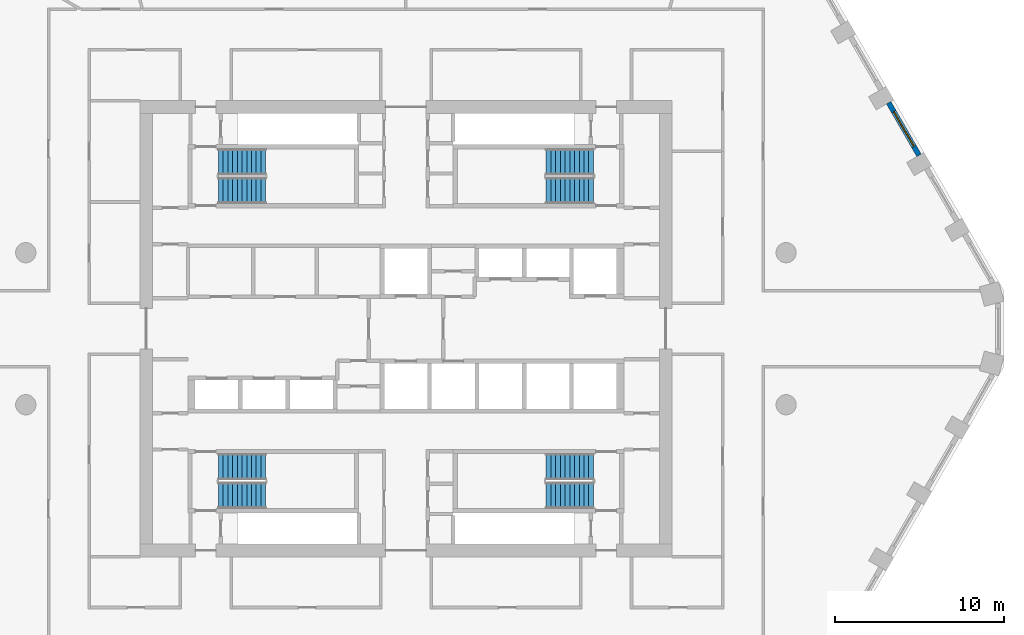
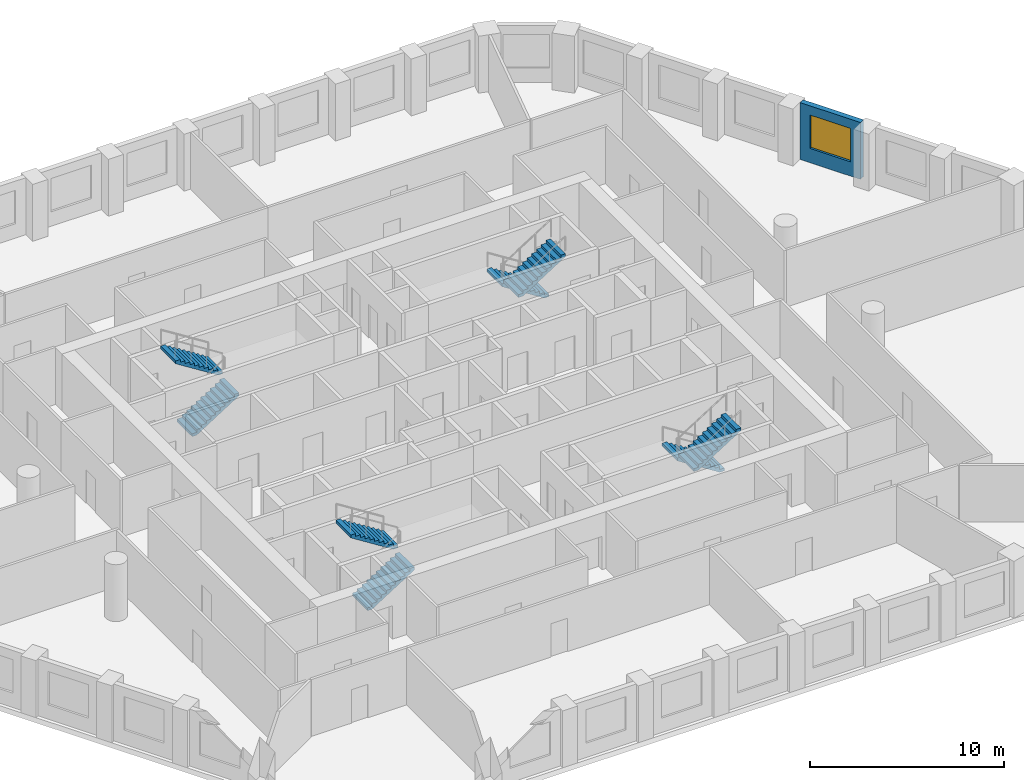
# One storey, part 9 of 10: 8 stair flights, 1 wall, 1 window, 1 opening, 4 elements without a shape of their own.
"""IFC4 building model written with IfcOpenShell, lengths in metres."""

import ifcopenshell
import ifcopenshell.guid

model = None  # the IFC model being written
_history = None  # IfcOwnerHistory: only IFC2X3 demands one
_inside = {}  # id of a spatial element -> (the spatial element, [elements in it])
_under = {}  # id of a project, library or spatial element -> (it, [spatial elements below it])
_declared = {}  # id of a project -> (the project, [libraries it declares])
_typed = {}  # id of a type object -> (the type object, [elements of that type])
_made_of = {}  # id of a material, layer set ... -> (it, [elements and type objects made of it])


def new_model(schema):
    """Start an empty IFC model of exactly this schema.

    Asked for "IFC4X3", IfcOpenShell would pick the latest addendum, in which some entities
    have other attributes; the version numbers below select the first issue.
    IFC2X3 requires an IfcOwnerHistory on every rooted entity: one is made here for all.
    """
    global model, _history
    if schema == "IFC4X3":
        model = ifcopenshell.file(schema_version=(4, 3, 0, 0))
    else:
        model = ifcopenshell.file(schema=schema)
    _inside.clear()
    _under.clear()
    _declared.clear()
    _typed.clear()
    _made_of.clear()
    _history = None
    if model.schema == "IFC2X3":
        org = make("IfcOrganization", Name="unknown")
        user = make(
            "IfcPersonAndOrganization",
            ThePerson=make("IfcPerson", FamilyName="unknown"),
            TheOrganization=org,
        )
        app = make(
            "IfcApplication",
            ApplicationDeveloper=org,
            Version="unknown",
            ApplicationFullName="unknown",
            ApplicationIdentifier="unknown",
        )
        _history = make(
            "IfcOwnerHistory",
            OwningUser=user,
            OwningApplication=app,
            ChangeAction="ADDED",
            CreationDate=0,
        )
    return model


def make(cls, **values):
    """One entity of the class cls with the attributes given. An attribute that is None is left unset."""
    return model.create_entity(
        cls, **{name: value for name, value in values.items() if value is not None}
    )


def rooted(cls, **values):
    """An entity with a GlobalId (a new one), such as an element, a storey or a relation."""
    return make(cls, GlobalId=ifcopenshell.guid.new(), OwnerHistory=_history, **values)


def si_unit(unit_type, name, prefix=None):
    """IfcSIUnit, for example si_unit("LENGTHUNIT", "METRE", prefix="MILLI")."""
    return make("IfcSIUnit", UnitType=unit_type, Prefix=prefix, Name=name)


def assignment(units):
    """IfcUnitAssignment: the units of a project."""
    return None if units is None else make("IfcUnitAssignment", Units=units)


def point(xyz):
    """IfcCartesianPoint."""
    return None if xyz is None else make("IfcCartesianPoint", Coordinates=xyz)


def direction(xyz):
    """IfcDirection."""
    return None if xyz is None else make("IfcDirection", DirectionRatios=xyz)


def frame(location, z_axis=None, x_axis=None):
    """IfcAxis2Placement3D, a coordinate frame: its origin and axes. An axis left out is left unset."""
    return make(
        "IfcAxis2Placement3D",
        Location=point(location),
        Axis=direction(z_axis),
        RefDirection=direction(x_axis),
    )


def frame_2d(location, x_axis=None):
    """IfcAxis2Placement2D, a coordinate frame in the plane: its origin and x axis."""
    return make(
        "IfcAxis2Placement2D", Location=point(location), RefDirection=direction(x_axis)
    )


def origin():
    """The frame at (0, 0, 0) with its axes left unset."""
    return frame((0.0, 0.0, 0.0))


def place(relative_to, where):
    """IfcLocalPlacement: puts the frame where relative to a parent placement (None: the world)."""
    return make(
        "IfcLocalPlacement", PlacementRelTo=relative_to, RelativePlacement=where
    )


def context(
    kind, dimensions, precision=None, world=None, true_north=None, identifier=None
):
    """IfcGeometricRepresentationContext, for example the 3D "Model" context."""
    return make(
        "IfcGeometricRepresentationContext",
        ContextIdentifier=identifier,
        ContextType=kind,
        CoordinateSpaceDimension=dimensions,
        Precision=precision,
        WorldCoordinateSystem=world,
        TrueNorth=true_north,
    )


def subcontext(parent, identifier, kind, view, scale=None):
    """IfcGeometricRepresentationSubContext, for example "Body" below "Model"."""
    return make(
        "IfcGeometricRepresentationSubContext",
        ContextIdentifier=identifier,
        ContextType=kind,
        ParentContext=parent,
        TargetScale=scale,
        TargetView=view,
    )


def project(units=None, contexts=None):
    """IfcProject with its units and contexts."""
    return rooted(
        "IfcProject",
        Name="project",
        RepresentationContexts=contexts,
        UnitsInContext=assignment(units),
    )


def spatial(cls, under=None, at=None, **own):
    """A site, building, storey or space (cls), placed at a placement, below another one or the project."""
    s = rooted(cls, ObjectPlacement=at, **own)
    if under is not None:
        _under.setdefault(under.id(), (under, []))[1].append(s)
    return s


def polyline(points):
    """IfcPolyline through the points."""
    return make("IfcPolyline", Points=[point(p) for p in points])


def profile(cls, at=None, kind="AREA", **sizes):
    """A parametric profile (cls). Its sizes go by their IFC names, for example OverallWidth=200.0."""
    return make(cls, ProfileType=kind, Position=at, **sizes)


def rectangle(**sizes):
    """IfcRectangleProfileDef."""
    return profile("IfcRectangleProfileDef", **sizes)


def outline(outer, holes=None, kind="AREA"):
    """IfcArbitraryClosedProfileDef: a profile drawn as a closed curve; with holes, ...WithVoids."""
    if holes is None:
        return make("IfcArbitraryClosedProfileDef", ProfileType=kind, OuterCurve=outer)
    return make(
        "IfcArbitraryProfileDefWithVoids",
        ProfileType=kind,
        OuterCurve=outer,
        InnerCurves=holes,
    )


def extrude(swept, where, along, depth):
    """IfcExtrudedAreaSolid: the profile swept, set in the frame where, extruded along a direction by depth."""
    return make(
        "IfcExtrudedAreaSolid",
        SweptArea=swept,
        Position=where,
        ExtrudedDirection=direction(along),
        Depth=depth,
    )


def shape(context_of_items, identifier, shape_type, items):
    """IfcShapeRepresentation: the items that make up one representation, for example the "Body"."""
    return make(
        "IfcShapeRepresentation",
        ContextOfItems=context_of_items,
        RepresentationIdentifier=identifier,
        RepresentationType=shape_type,
        Items=items,
    )


def material(Name=None, Category=None):
    """IfcMaterial."""
    return make("IfcMaterial", Name=Name, Category=Category)


def layer(
    of_material, thickness, ventilated=None, Name=None, Category=None, Priority=None
):
    """IfcMaterialLayer: one layer of a wall or slab, of a material (None: an air gap)."""
    return make(
        "IfcMaterialLayer",
        Material=of_material,
        LayerThickness=thickness,
        IsVentilated=ventilated,
        Name=Name,
        Category=Category,
        Priority=Priority,
    )


def layer_set(layers, Name=None):
    """IfcMaterialLayerSet."""
    return make("IfcMaterialLayerSet", MaterialLayers=layers, LayerSetName=Name)


def made_of(thing, what):
    """Note that an element or type object is made of a material, layer set ...; save() writes the relation."""
    if what is not None:
        _made_of.setdefault(what.id(), (what, []))[1].append(thing)
    return thing


def type_object(cls, material=None, **own):
    """A type object (cls), such as IfcWallType, which elements share."""
    return made_of(rooted(cls, **own), material)


def element(
    cls,
    number,
    at=None,
    inside=None,
    cuts=None,
    type_object=None,
    material=None,
    context=None,
    identifier="Body",
    shape_type=None,
    held_by="IfcProductDefinitionShape",
    body=None,
    shapes=None,
    **own,
):
    """One element of the class cls, such as IfcWall. Its Tag is "e" and its number.

    at: its placement. inside: the storey or other place that contains it. cuts: it is an
    opening in that element (IfcRelVoidsElement). A single representation is given by context,
    identifier, shape_type and body (its items); several are given by shapes. held_by: the class
    of the entity that holds the representations. save() writes the other relations.
    """
    e = rooted(cls, Tag="e%d" % number, ObjectPlacement=at, **own)
    if body is not None:
        shapes = [shape(context, identifier, shape_type, body)]
    if shapes is not None:
        e.Representation = make(held_by, Representations=shapes)
    if inside is not None:
        _inside.setdefault(inside.id(), (inside, []))[1].append(e)
    if cuts is not None:
        rooted(
            "IfcRelVoidsElement", RelatingBuildingElement=cuts, RelatedOpeningElement=e
        )
    if type_object is not None:
        _typed.setdefault(type_object.id(), (type_object, []))[1].append(e)
    return made_of(e, material)


def fill(opening, filler):
    """IfcRelFillsElement: the door or window that sits in an opening."""
    return rooted(
        "IfcRelFillsElement",
        RelatingOpeningElement=opening,
        RelatedBuildingElement=filler,
    )


def aggregate(whole, parts):
    """IfcRelAggregates: a whole, such as a stair, and the parts it consists of."""
    return rooted("IfcRelAggregates", RelatingObject=whole, RelatedObjects=parts)


def save(model, path):
    """Write the relations noted so far, then the file.

    IfcRelAggregates (storeys below a building ...), IfcRelContainedInSpatialStructure (elements
    in a storey), IfcRelDefinesByType, IfcRelAssociatesMaterial and IfcRelDeclares: one each for
    every whole, place, type object, material and project.
    """
    for whole, parts in _under.values():
        aggregate(whole, parts)
    for where, things in _inside.values():
        rooted(
            "IfcRelContainedInSpatialStructure",
            RelatedElements=things,
            RelatingStructure=where,
        )
    for kind, things in _typed.values():
        rooted("IfcRelDefinesByType", RelatedObjects=things, RelatingType=kind)
    for what, things in _made_of.values():
        rooted("IfcRelAssociatesMaterial", RelatedObjects=things, RelatingMaterial=what)
    for by, libraries in _declared.values():
        rooted("IfcRelDeclares", RelatingContext=by, RelatedDefinitions=libraries)
    model.write(path)


model = new_model("IFC4")

# Units and contexts
model_context = context("Model", 3, precision=1e-05, world=origin(), true_north=direction((0.0, 1.0)))
body_context = subcontext(model_context, "Body", "Model", "MODEL_VIEW")
ifc_project = project(units=[si_unit("LENGTHUNIT", "METRE"), si_unit("AREAUNIT", "SQUARE_METRE"), si_unit("VOLUMEUNIT", "CUBIC_METRE"), si_unit("PLANEANGLEUNIT", "RADIAN"), si_unit("MASSUNIT", "GRAM", prefix="KILO")], contexts=[model_context])

# Site, building, storey
site_placement = place(None, origin())
site = spatial("IfcSite", under=ifc_project, at=site_placement, CompositionType="ELEMENT")
building_placement = place(site_placement, origin())
building = spatial("IfcBuilding", under=site, at=building_placement, Name="Dhurran Vertical Campus", CompositionType="ELEMENT")
storey_placement = place(building_placement, frame((0.0, 0.0, 144.300048828125)))
storey = spatial("IfcBuildingStorey", under=building, at=storey_placement, Name="L35", CompositionType="ELEMENT", Elevation=144.300048828125)

# Wall, opening, window
ifc_material_1 = material(Name="Precast concrete C50/60", Category="concrete")
ifc_layer = layer(ifc_material_1, 0.300048828125)
ifc_layer_set = layer_set([ifc_layer], Name="Precast concrete C50/60")
wall_type = type_object("IfcWallType", Name="Precast spandrel wall 300", PredefinedType="SOLIDWALL", material=ifc_layer_set)
wall_placement = place(storey_placement, frame((30.368896484375, 10.259521484375, 0.0), z_axis=(0.0, 0.0, 1.0), x_axis=(-0.500027802648, 0.866009351323, 0.0)))
wall = element("IfcWall", 1, at=wall_placement, inside=storey, type_object=wall_type, Name="EW1 L35.18", PredefinedType="SOLIDWALL", context=body_context, shape_type="SweptSolid", body=[
    extrude(rectangle(XDim=3.598876953125, YDim=0.300048828125, at=frame_2d((1.79931640625, 0.0))), origin(), (0.0, 0.0, 1.0), 3.574951171875),
])
opening_placement = place(wall_placement, frame((0.599609375, 0.0, 0.89990234375)))
opening = element("IfcOpeningElement", 2, at=opening_placement, cuts=wall, Name="Opening WT1", PredefinedType="OPENING", context=body_context, shape_type="SweptSolid", body=[
    extrude(rectangle(XDim=2.39990234375, YDim=2.10009765625, at=frame_2d((1.199951171875, 1.050048828125))), frame((0.0, 0.159912109375, 0.0), z_axis=(0.0, -1.0, 0.0), x_axis=(1.0, 0.0, 0.0)), (0.0, 0.0, 1.0), 0.320068359375),
])
ifc_material_2 = material(Name="Aluminium frame with solar-control glass", Category="aluminium")
window_type = type_object("IfcWindowType", Name="Punched window 2400 x 2100", PartitioningType="SINGLE_PANEL", PredefinedType="WINDOW", material=ifc_material_2)
window_placement = place(opening_placement, origin())
window = element("IfcWindow", 3, at=window_placement, inside=storey, type_object=window_type, Name="WT1 L35.18", OverallHeight=2.10009765625, OverallWidth=2.39990234375, PartitioningType="SINGLE_PANEL", PredefinedType="WINDOW", context=body_context, shape_type="SweptSolid", body=[
    extrude(rectangle(XDim=2.39990234375, YDim=2.10009765625, at=frame_2d((1.199951171875, 1.050048828125))), frame((0.0, 0.030029296875, 0.0), z_axis=(0.0, -1.0, 0.0), x_axis=(1.0, 0.0, 0.0)), (0.0, 0.0, 1.0), 0.06005859375),
])
fill(opening, window)

# Stair, stair flights
ifc_material_3 = material(Name="Concrete C40/50", Category="concrete")
stair_type = type_object("IfcStairType", Name="co-ST-CORE", PredefinedType="HALF_TURN_STAIR", material=ifc_material_3)
stair_1_placement = place(storey_placement, origin())
stair_1 = element("IfcStair", 4, at=stair_1_placement, inside=storey, type_object=stair_type, Name="L35 Protected exit stair ST1", PredefinedType="HALF_TURN_STAIR")
ifc_material_4 = material(Name="Concrete C40/50", Category="concrete")
stair_flight_type = type_object("IfcStairFlightType", Name="co-SFL-RC", PredefinedType="STRAIGHT", material=ifc_material_4)
stair_flight_1_placement = place(storey_placement, frame((-11.10009765625, 8.175048828125, 0.0), z_axis=(0.0, 0.0, 1.0), x_axis=(1.0, 0.0, 0.0)))
stair_flight_1 = element("IfcStairFlight", 5, at=stair_flight_1_placement, type_object=stair_flight_type, Name="ST1 flight 1", NumberOfRisers=11, NumberOfTreads=10, PredefinedType="STRAIGHT", RiserHeight=0.177272727, TreadLength=0.28, context=body_context, shape_type="SweptSolid", body=[
    extrude(outline(polyline([(0.0, 0.0), (0.0, 0.17724609375), (0.280029296875, 0.17724609375), (0.280029296875, 0.3544921875), (0.56005859375, 0.3544921875), (0.56005859375, 0.53173828125), (0.840087890625, 0.53173828125), (0.840087890625, 0.708984375), (1.1201171875, 0.708984375), (1.1201171875, 0.886474609375), (1.39990234375, 0.886474609375), (1.39990234375, 1.063720703125), (1.679931640625, 1.063720703125), (1.679931640625, 1.240966796875), (1.9599609375, 1.240966796875), (1.9599609375, 1.418212890625), (2.239990234375, 1.418212890625), (2.239990234375, 1.595458984375), (2.52001953125, 1.595458984375), (2.52001953125, 1.772705078125), (2.800048828125, 1.772705078125), (2.800048828125, 1.949951171875), (2.800048828125, 1.59521484375), (0.2802734375, 0.0), (0.0, 0.0)])), frame((0.0, 0.77490234375, 0.0), z_axis=(0.0, -1.0, 0.0), x_axis=(1.0, 0.0, 0.0)), (0.0, 0.0, 1.0), 1.550048828125),
])
stair_flight_2_placement = place(storey_placement, frame((-8.300048828125, 9.875, 1.949951171875), z_axis=(0.0, 0.0, 1.0), x_axis=(-1.0, 0.0, 0.0)))
stair_flight_2 = element("IfcStairFlight", 6, at=stair_flight_2_placement, type_object=stair_flight_type, Name="ST1 flight 2", NumberOfRisers=11, NumberOfTreads=10, PredefinedType="STRAIGHT", RiserHeight=0.177272727, TreadLength=0.28, context=body_context, shape_type="SweptSolid", body=[
    extrude(outline(polyline([(0.0, 0.0), (0.0, 0.17724609375), (0.280029296875, 0.17724609375), (0.280029296875, 0.3544921875), (0.56005859375, 0.3544921875), (0.56005859375, 0.53173828125), (0.840087890625, 0.53173828125), (0.840087890625, 0.708984375), (1.1201171875, 0.708984375), (1.1201171875, 0.886474609375), (1.39990234375, 0.886474609375), (1.39990234375, 1.063720703125), (1.679931640625, 1.063720703125), (1.679931640625, 1.240966796875), (1.9599609375, 1.240966796875), (1.9599609375, 1.418212890625), (2.239990234375, 1.418212890625), (2.239990234375, 1.595458984375), (2.52001953125, 1.595458984375), (2.52001953125, 1.772705078125), (2.800048828125, 1.772705078125), (2.800048828125, 1.949951171875), (2.800048828125, 1.59521484375), (0.2802734375, 0.0), (0.0, 0.0)])), frame((0.0, 0.77490234375, 0.0), z_axis=(0.0, -1.0, 0.0), x_axis=(1.0, 0.0, 0.0)), (0.0, 0.0, 1.0), 1.550048828125),
])
aggregate(stair_1, [stair_flight_1, stair_flight_2])

stair_2_placement = place(storey_placement, origin())
stair_2 = element("IfcStair", 7, at=stair_2_placement, inside=storey, type_object=stair_type, Name="L35 Protected exit stair ST2", PredefinedType="HALF_TURN_STAIR")
stair_flight_3_placement = place(storey_placement, frame((11.10009765625, 9.875, 0.0), z_axis=(0.0, 0.0, 1.0), x_axis=(-1.0, 0.0, 0.0)))
stair_flight_3 = element("IfcStairFlight", 8, at=stair_flight_3_placement, type_object=stair_flight_type, Name="ST2 flight 1", NumberOfRisers=11, NumberOfTreads=10, PredefinedType="STRAIGHT", RiserHeight=0.177272727, TreadLength=0.28, context=body_context, shape_type="SweptSolid", body=[
    extrude(outline(polyline([(0.0, 0.0), (0.0, 0.17724609375), (0.280029296875, 0.17724609375), (0.280029296875, 0.3544921875), (0.56005859375, 0.3544921875), (0.56005859375, 0.53173828125), (0.840087890625, 0.53173828125), (0.840087890625, 0.708984375), (1.1201171875, 0.708984375), (1.1201171875, 0.886474609375), (1.39990234375, 0.886474609375), (1.39990234375, 1.063720703125), (1.679931640625, 1.063720703125), (1.679931640625, 1.240966796875), (1.9599609375, 1.240966796875), (1.9599609375, 1.418212890625), (2.239990234375, 1.418212890625), (2.239990234375, 1.595458984375), (2.52001953125, 1.595458984375), (2.52001953125, 1.772705078125), (2.800048828125, 1.772705078125), (2.800048828125, 1.949951171875), (2.800048828125, 1.59521484375), (0.2802734375, 0.0), (0.0, 0.0)])), frame((0.0, 0.77490234375, 0.0), z_axis=(0.0, -1.0, 0.0), x_axis=(1.0, 0.0, 0.0)), (0.0, 0.0, 1.0), 1.550048828125),
])
stair_flight_4_placement = place(storey_placement, frame((8.300048828125, 8.175048828125, 1.949951171875), z_axis=(0.0, 0.0, 1.0), x_axis=(1.0, 0.0, 0.0)))
stair_flight_4 = element("IfcStairFlight", 9, at=stair_flight_4_placement, type_object=stair_flight_type, Name="ST2 flight 2", NumberOfRisers=11, NumberOfTreads=10, PredefinedType="STRAIGHT", RiserHeight=0.177272727, TreadLength=0.28, context=body_context, shape_type="SweptSolid", body=[
    extrude(outline(polyline([(0.0, 0.0), (0.0, 0.17724609375), (0.280029296875, 0.17724609375), (0.280029296875, 0.3544921875), (0.56005859375, 0.3544921875), (0.56005859375, 0.53173828125), (0.840087890625, 0.53173828125), (0.840087890625, 0.708984375), (1.1201171875, 0.708984375), (1.1201171875, 0.886474609375), (1.39990234375, 0.886474609375), (1.39990234375, 1.063720703125), (1.679931640625, 1.063720703125), (1.679931640625, 1.240966796875), (1.9599609375, 1.240966796875), (1.9599609375, 1.418212890625), (2.239990234375, 1.418212890625), (2.239990234375, 1.595458984375), (2.52001953125, 1.595458984375), (2.52001953125, 1.772705078125), (2.800048828125, 1.772705078125), (2.800048828125, 1.949951171875), (2.800048828125, 1.59521484375), (0.2802734375, 0.0), (0.0, 0.0)])), frame((0.0, 0.77490234375, 0.0), z_axis=(0.0, -1.0, 0.0), x_axis=(1.0, 0.0, 0.0)), (0.0, 0.0, 1.0), 1.550048828125),
])
aggregate(stair_2, [stair_flight_3, stair_flight_4])

stair_3_placement = place(storey_placement, origin())
stair_3 = element("IfcStair", 10, at=stair_3_placement, inside=storey, type_object=stair_type, Name="L35 Protected exit stair ST3", PredefinedType="HALF_TURN_STAIR")
stair_flight_5_placement = place(storey_placement, frame((-11.10009765625, -9.875, 0.0), z_axis=(0.0, 0.0, 1.0), x_axis=(1.0, 0.0, 0.0)))
stair_flight_5 = element("IfcStairFlight", 11, at=stair_flight_5_placement, type_object=stair_flight_type, Name="ST3 flight 1", NumberOfRisers=11, NumberOfTreads=10, PredefinedType="STRAIGHT", RiserHeight=0.177272727, TreadLength=0.28, context=body_context, shape_type="SweptSolid", body=[
    extrude(outline(polyline([(0.0, 0.0), (0.0, 0.17724609375), (0.280029296875, 0.17724609375), (0.280029296875, 0.3544921875), (0.56005859375, 0.3544921875), (0.56005859375, 0.53173828125), (0.840087890625, 0.53173828125), (0.840087890625, 0.708984375), (1.1201171875, 0.708984375), (1.1201171875, 0.886474609375), (1.39990234375, 0.886474609375), (1.39990234375, 1.063720703125), (1.679931640625, 1.063720703125), (1.679931640625, 1.240966796875), (1.9599609375, 1.240966796875), (1.9599609375, 1.418212890625), (2.239990234375, 1.418212890625), (2.239990234375, 1.595458984375), (2.52001953125, 1.595458984375), (2.52001953125, 1.772705078125), (2.800048828125, 1.772705078125), (2.800048828125, 1.949951171875), (2.800048828125, 1.59521484375), (0.2802734375, 0.0), (0.0, 0.0)])), frame((0.0, 0.77490234375, 0.0), z_axis=(0.0, -1.0, 0.0), x_axis=(1.0, 0.0, 0.0)), (0.0, 0.0, 1.0), 1.550048828125),
])
stair_flight_6_placement = place(storey_placement, frame((-8.300048828125, -8.175048828125, 1.949951171875), z_axis=(0.0, 0.0, 1.0), x_axis=(-1.0, 0.0, 0.0)))
stair_flight_6 = element("IfcStairFlight", 12, at=stair_flight_6_placement, type_object=stair_flight_type, Name="ST3 flight 2", NumberOfRisers=11, NumberOfTreads=10, PredefinedType="STRAIGHT", RiserHeight=0.177272727, TreadLength=0.28, context=body_context, shape_type="SweptSolid", body=[
    extrude(outline(polyline([(0.0, 0.0), (0.0, 0.17724609375), (0.280029296875, 0.17724609375), (0.280029296875, 0.3544921875), (0.56005859375, 0.3544921875), (0.56005859375, 0.53173828125), (0.840087890625, 0.53173828125), (0.840087890625, 0.708984375), (1.1201171875, 0.708984375), (1.1201171875, 0.886474609375), (1.39990234375, 0.886474609375), (1.39990234375, 1.063720703125), (1.679931640625, 1.063720703125), (1.679931640625, 1.240966796875), (1.9599609375, 1.240966796875), (1.9599609375, 1.418212890625), (2.239990234375, 1.418212890625), (2.239990234375, 1.595458984375), (2.52001953125, 1.595458984375), (2.52001953125, 1.772705078125), (2.800048828125, 1.772705078125), (2.800048828125, 1.949951171875), (2.800048828125, 1.59521484375), (0.2802734375, 0.0), (0.0, 0.0)])), frame((0.0, 0.77490234375, 0.0), z_axis=(0.0, -1.0, 0.0), x_axis=(1.0, 0.0, 0.0)), (0.0, 0.0, 1.0), 1.550048828125),
])
aggregate(stair_3, [stair_flight_5, stair_flight_6])

stair_4_placement = place(storey_placement, origin())
stair_4 = element("IfcStair", 13, at=stair_4_placement, inside=storey, type_object=stair_type, Name="L35 Protected exit stair ST4", PredefinedType="HALF_TURN_STAIR")
stair_flight_7_placement = place(storey_placement, frame((11.10009765625, -8.175048828125, 0.0), z_axis=(0.0, 0.0, 1.0), x_axis=(-1.0, 0.0, 0.0)))
stair_flight_7 = element("IfcStairFlight", 14, at=stair_flight_7_placement, type_object=stair_flight_type, Name="ST4 flight 1", NumberOfRisers=11, NumberOfTreads=10, PredefinedType="STRAIGHT", RiserHeight=0.177272727, TreadLength=0.28, context=body_context, shape_type="SweptSolid", body=[
    extrude(outline(polyline([(0.0, 0.0), (0.0, 0.17724609375), (0.280029296875, 0.17724609375), (0.280029296875, 0.3544921875), (0.56005859375, 0.3544921875), (0.56005859375, 0.53173828125), (0.840087890625, 0.53173828125), (0.840087890625, 0.708984375), (1.1201171875, 0.708984375), (1.1201171875, 0.886474609375), (1.39990234375, 0.886474609375), (1.39990234375, 1.063720703125), (1.679931640625, 1.063720703125), (1.679931640625, 1.240966796875), (1.9599609375, 1.240966796875), (1.9599609375, 1.418212890625), (2.239990234375, 1.418212890625), (2.239990234375, 1.595458984375), (2.52001953125, 1.595458984375), (2.52001953125, 1.772705078125), (2.800048828125, 1.772705078125), (2.800048828125, 1.949951171875), (2.800048828125, 1.59521484375), (0.2802734375, 0.0), (0.0, 0.0)])), frame((0.0, 0.77490234375, 0.0), z_axis=(0.0, -1.0, 0.0), x_axis=(1.0, 0.0, 0.0)), (0.0, 0.0, 1.0), 1.550048828125),
])
stair_flight_8_placement = place(storey_placement, frame((8.300048828125, -9.875, 1.949951171875), z_axis=(0.0, 0.0, 1.0), x_axis=(1.0, 0.0, 0.0)))
stair_flight_8 = element("IfcStairFlight", 15, at=stair_flight_8_placement, type_object=stair_flight_type, Name="ST4 flight 2", NumberOfRisers=11, NumberOfTreads=10, PredefinedType="STRAIGHT", RiserHeight=0.177272727, TreadLength=0.28, context=body_context, shape_type="SweptSolid", body=[
    extrude(outline(polyline([(0.0, 0.0), (0.0, 0.17724609375), (0.280029296875, 0.17724609375), (0.280029296875, 0.3544921875), (0.56005859375, 0.3544921875), (0.56005859375, 0.53173828125), (0.840087890625, 0.53173828125), (0.840087890625, 0.708984375), (1.1201171875, 0.708984375), (1.1201171875, 0.886474609375), (1.39990234375, 0.886474609375), (1.39990234375, 1.063720703125), (1.679931640625, 1.063720703125), (1.679931640625, 1.240966796875), (1.9599609375, 1.240966796875), (1.9599609375, 1.418212890625), (2.239990234375, 1.418212890625), (2.239990234375, 1.595458984375), (2.52001953125, 1.595458984375), (2.52001953125, 1.772705078125), (2.800048828125, 1.772705078125), (2.800048828125, 1.949951171875), (2.800048828125, 1.59521484375), (0.2802734375, 0.0), (0.0, 0.0)])), frame((0.0, 0.77490234375, 0.0), z_axis=(0.0, -1.0, 0.0), x_axis=(1.0, 0.0, 0.0)), (0.0, 0.0, 1.0), 1.550048828125),
])
aggregate(stair_4, [stair_flight_7, stair_flight_8])

save(model, "model.ifc")
